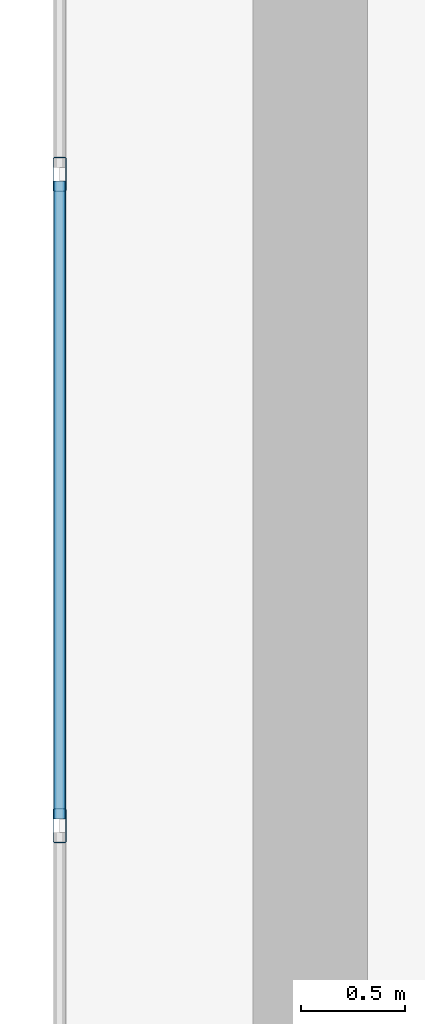
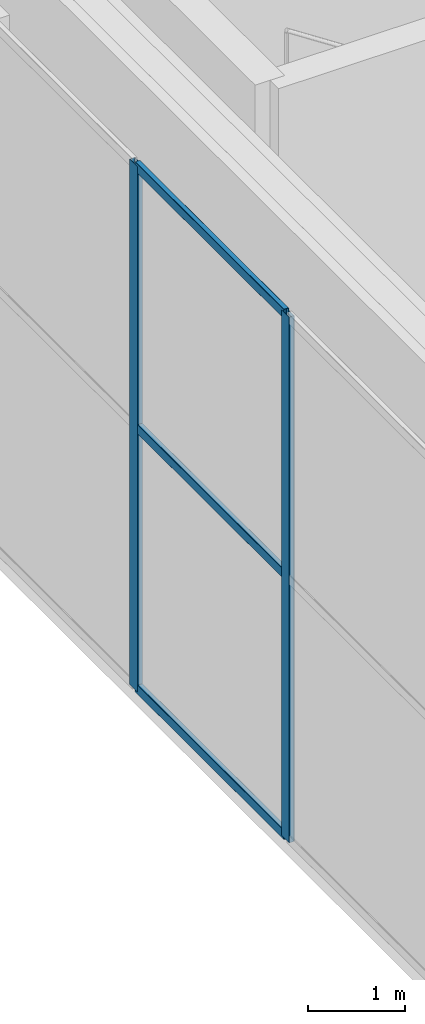
# One storey, part 7 of 19: 5 members, 1 element without a shape of its own.
"""IFC4 building model written with IfcOpenShell, lengths in metres."""

from ifc_helpers import new_model, si_unit, direction, frame, origin, origin_2d, place, context, subcontext, project, spatial, hollow_rectangle, extrude, material, layer, layer_set, material_profile, profile_set, type_object, element, aggregate, save


model = new_model("IFC4")

# Units and contexts
model_context = context("Model", 3, precision=1e-05, world=origin(), true_north=direction((0.0, 1.0)))
body_context = subcontext(model_context, "Body", "Model", "MODEL_VIEW")
ifc_project = project(units=[si_unit("LENGTHUNIT", "METRE"), si_unit("AREAUNIT", "SQUARE_METRE"), si_unit("VOLUMEUNIT", "CUBIC_METRE"), si_unit("PLANEANGLEUNIT", "RADIAN"), si_unit("MASSUNIT", "GRAM", prefix="KILO")], contexts=[model_context])

# Site, building, storey
site_placement = place(None, origin())
site = spatial("IfcSite", under=ifc_project, at=site_placement, CompositionType="ELEMENT")
building_placement = place(site_placement, origin())
building = spatial("IfcBuilding", under=site, at=building_placement, Name="An Khanh Terracotta Commons", CompositionType="ELEMENT")
storey_placement = place(building_placement, frame((0.0, 0.0, 328.800048828125)))
storey = spatial("IfcBuildingStorey", under=building, at=storey_placement, Name="L82 Crown Faceted Taper", CompositionType="ELEMENT", Elevation=328.800048828125)

# Curtain wall, members
ifc_material = material(Name="Anodised Aluminium 6063-T6", Category="aluminium")
ifc_layer = layer(ifc_material, 0.18994140625, Name="Anodised Aluminium 6063-T6")
ifc_layer_set = layer_set([ifc_layer], Name="Anodised Aluminium 6063-T6")
curtain_wall_type = type_object("IfcCurtainWallType", Name="CW-SYS-06", PredefinedType="USERDEFINED", material=ifc_layer_set)
curtain_wall_placement = place(storey_placement, origin())
curtain_wall = element("IfcCurtainWall", 1, at=curtain_wall_placement, inside=storey, type_object=curtain_wall_type, Name="L82 Crown Faceted Taper CW-06 Unitised Curtain Wall CW-L82-24", ObjectType="UNITISED CURTAIN WALL", PredefinedType="USERDEFINED")
ifc_material_profile_1 = material_profile(ifc_material, hollow_rectangle(XDim=0.06494140625, YDim=0.1650390625, WallThickness=0.00390625, InnerFilletRadius=0.00390625, OuterFilletRadius=0.008056640625, at=origin_2d()), Name="RHS165x65x4")
ifc_profile_set_1 = profile_set([ifc_material_profile_1], Name="Anodised Aluminium 6063-T6")
member_type_1 = type_object("IfcMemberType", Name="CWM-RHS165x65x4", PredefinedType="MULLION", material=ifc_profile_set_1)
member_1_placement = place(storey_placement, frame((20.39990234375, 28.679931640625, 0.0), z_axis=(0.0, 0.0, 1.0), x_axis=(1.0, 0.0, 0.0)))
member_1 = element("IfcMember", 2, at=member_1_placement, type_object=member_type_1, Name="CW-06 mullion 2", PredefinedType="MULLION", context=body_context, shape_type="SweptSolid", body=[
    extrude(hollow_rectangle(XDim=0.06494140625, YDim=0.1650390625, WallThickness=0.00390625, InnerFilletRadius=0.00390625, OuterFilletRadius=0.008056640625, at=origin_2d()), origin(), (0.0, 0.0, 1.0), 6.599853515625),
])
member_2_placement = place(storey_placement, frame((20.39990234375, 25.56005859375, 0.0), z_axis=(0.0, 0.0, 1.0), x_axis=(1.0, 0.0, 0.0)))
member_2 = element("IfcMember", 3, at=member_2_placement, type_object=member_type_1, Name="CW-06 mullion 3", PredefinedType="MULLION", context=body_context, shape_type="SweptSolid", body=[
    extrude(hollow_rectangle(XDim=0.06494140625, YDim=0.1650390625, WallThickness=0.00390625, InnerFilletRadius=0.00390625, OuterFilletRadius=0.008056640625, at=origin_2d()), origin(), (0.0, 0.0, 1.0), 6.599853515625),
])
ifc_material_profile_2 = material_profile(ifc_material, hollow_rectangle(XDim=0.06005859375, YDim=0.1201171875, WallThickness=0.003662109375, InnerFilletRadius=0.003662109375, OuterFilletRadius=0.007080078125, at=origin_2d()), Name="RHS120x60x3.6")
ifc_profile_set_2 = profile_set([ifc_material_profile_2], Name="Anodised Aluminium 6063-T6")
member_type_2 = type_object("IfcMemberType", Name="CWT-RHS120x60x3.6", PredefinedType="USERDEFINED", material=ifc_profile_set_2)
member_3_placement = place(storey_placement, frame((20.39990234375, 28.6474609375, 0.030029296875), z_axis=(0.0, -1.0, 0.0), x_axis=(1.0, 0.0, 0.0)))
member_3 = element("IfcMember", 4, at=member_3_placement, type_object=member_type_2, Name="CW-06 transom 2.1", ObjectType="TRANSOM", PredefinedType="USERDEFINED", context=body_context, shape_type="SweptSolid", body=[
    extrude(hollow_rectangle(XDim=0.06005859375, YDim=0.1201171875, WallThickness=0.003662109375, InnerFilletRadius=0.003662109375, OuterFilletRadius=0.007080078125, at=origin_2d()), origin(), (0.0, 0.0, 1.0), 3.054931640625),
])
member_4_placement = place(storey_placement, frame((20.39990234375, 28.6474609375, 3.300048828125), z_axis=(0.0, -1.0, 0.0), x_axis=(1.0, 0.0, 0.0)))
member_4 = element("IfcMember", 5, at=member_4_placement, type_object=member_type_2, Name="CW-06 transom 2.2", ObjectType="TRANSOM", PredefinedType="USERDEFINED", context=body_context, shape_type="SweptSolid", body=[
    extrude(hollow_rectangle(XDim=0.06005859375, YDim=0.1201171875, WallThickness=0.003662109375, InnerFilletRadius=0.003662109375, OuterFilletRadius=0.007080078125, at=origin_2d()), origin(), (0.0, 0.0, 1.0), 3.054931640625),
])
member_5_placement = place(storey_placement, frame((20.39990234375, 28.6474609375, 6.570068359375), z_axis=(0.0, -1.0, 0.0), x_axis=(1.0, 0.0, 0.0)))
member_5 = element("IfcMember", 6, at=member_5_placement, type_object=member_type_2, Name="CW-06 transom 2.3", ObjectType="TRANSOM", PredefinedType="USERDEFINED", context=body_context, shape_type="SweptSolid", body=[
    extrude(hollow_rectangle(XDim=0.06005859375, YDim=0.1201171875, WallThickness=0.003662109375, InnerFilletRadius=0.003662109375, OuterFilletRadius=0.007080078125, at=origin_2d()), origin(), (0.0, 0.0, 1.0), 3.054931640625),
])
aggregate(curtain_wall, [member_1, member_2, member_3, member_4, member_5])

save(model, "model.ifc")
